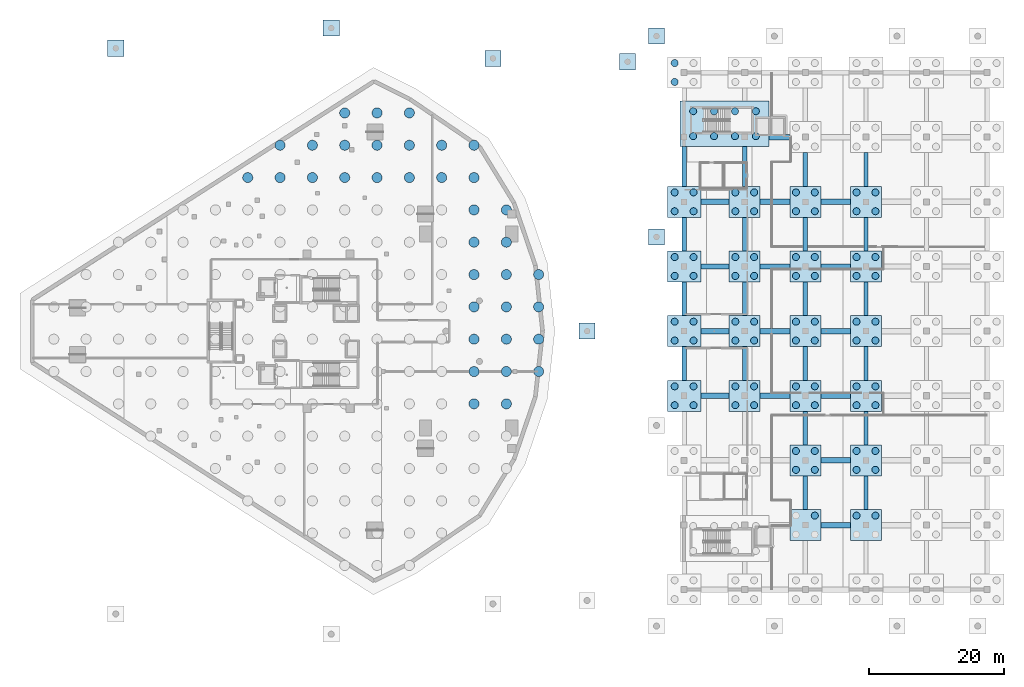
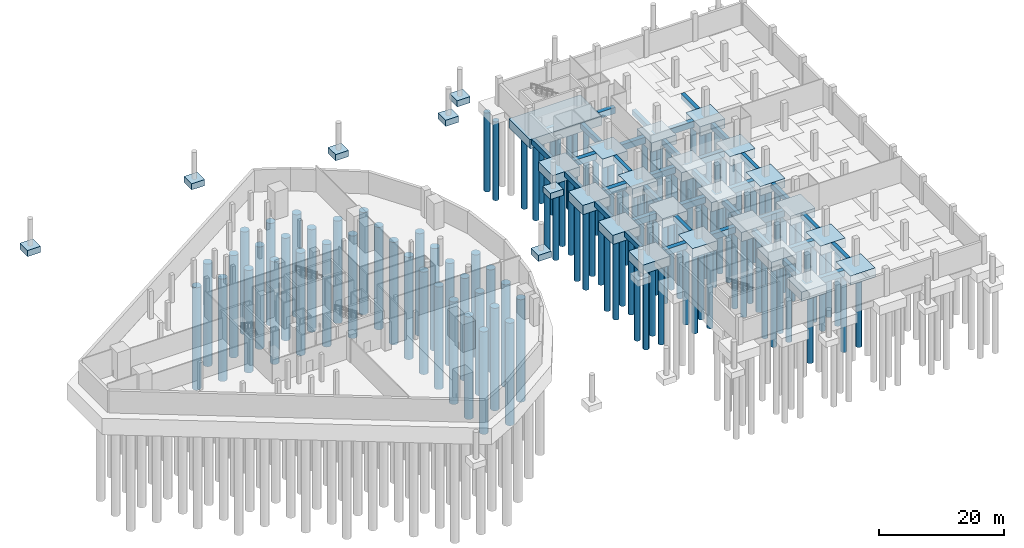
# One storey, part 2 of 22: 121 piles, 63 footings.
"""IFC4 building model written with IfcOpenShell, lengths in metres."""

from ifc_helpers import new_model, si_unit, direction, frame, origin, origin_2d, place, context, subcontext, project, spatial, rectangle, circle, extrude, material, layer, layer_set, material_profile, profile_set, type_object, element, save


model = new_model("IFC4")

# Units and contexts
model_context = context("Model", 3, precision=1e-05, world=origin(), true_north=direction((0.0, 1.0)))
body_context = subcontext(model_context, "Body", "Model", "MODEL_VIEW")
ifc_project = project(units=[si_unit("LENGTHUNIT", "METRE"), si_unit("AREAUNIT", "SQUARE_METRE"), si_unit("VOLUMEUNIT", "CUBIC_METRE"), si_unit("PLANEANGLEUNIT", "RADIAN"), si_unit("MASSUNIT", "GRAM", prefix="KILO")], contexts=[model_context])

# Site, building, storey
site_placement = place(None, origin())
site = spatial("IfcSite", under=ifc_project, at=site_placement, CompositionType="ELEMENT")
building_placement = place(site_placement, origin())
building = spatial("IfcBuilding", under=site, at=building_placement, Name="Qorvath Tower", CompositionType="ELEMENT")
storey_placement = place(building_placement, frame((0.0, 0.0, -5.39990234375)))
storey = spatial("IfcBuildingStorey", under=building, at=storey_placement, Name="B01", CompositionType="ELEMENT", Elevation=-5.39990234375)

# Footings
ifc_material_1 = material(Name="Concrete C45/55", Category="concrete")
ifc_material_profile_1 = material_profile(ifc_material_1, rectangle(XDim=0.800048828125, YDim=1.199951171875, at=origin_2d()), Name="GB 800x1200")
ifc_profile_set_1 = profile_set([ifc_material_profile_1], Name="Concrete C45/55")
footing_type_1 = type_object("IfcFootingType", Name="FT-GB1", PredefinedType="FOOTING_BEAM", material=ifc_profile_set_1)
for number, where, z_axis, x_axis, name in (
    (1, (52.699951171875, -28.800048828125, -0.60009765625), (1.0, 0.0, 0.0), (0.0, 1.0, 0.0), "Library Tie Beam GB-007"),
    (2, (52.699951171875, -19.199951171875, -0.60009765625), (1.0, 0.0, 0.0), (0.0, 1.0, 0.0), "Library Tie Beam GB-012"),
):
    element("IfcFooting", number, at=place(storey_placement, frame(where, z_axis=z_axis, x_axis=x_axis)), inside=storey, type_object=footing_type_1, Name=name, PredefinedType="FOOTING_BEAM", context=body_context, shape_type="SweptSolid", body=[
        extrude(rectangle(XDim=0.800048828125, YDim=1.199951171875, at=origin_2d()), origin(), (0.0, 0.0, 1.0), 4.400146484375),
    ])
footing_1_placement = place(storey_placement, frame((34.89990234375, -9.60009765625, -0.60009765625), z_axis=(1.0, 0.0, 0.0), x_axis=(0.0, 1.0, 0.0)))
element("IfcFooting", 3, at=footing_1_placement, inside=storey, type_object=footing_type_1, Name="Library Tie Beam GB-015", PredefinedType="FOOTING_BEAM", context=body_context, shape_type="SweptSolid", body=[
    extrude(rectangle(XDim=0.800048828125, YDim=1.199951171875, at=origin_2d()), origin(), (0.0, 0.0, 1.0), 4.2001953125),
])
for number, where, z_axis, x_axis, name in (
    (4, (43.699951171875, -9.60009765625, -0.60009765625), (1.0, 0.0, 0.0), (0.0, 1.0, 0.0), "Library Tie Beam GB-016"),
    (5, (52.699951171875, -9.60009765625, -0.60009765625), (1.0, 0.0, 0.0), (0.0, 1.0, 0.0), "Library Tie Beam GB-017"),
):
    element("IfcFooting", number, at=place(storey_placement, frame(where, z_axis=z_axis, x_axis=x_axis)), inside=storey, type_object=footing_type_1, Name=name, PredefinedType="FOOTING_BEAM", context=body_context, shape_type="SweptSolid", body=[
        extrude(rectangle(XDim=0.800048828125, YDim=1.199951171875, at=origin_2d()), origin(), (0.0, 0.0, 1.0), 4.400146484375),
    ])
footing_2_placement = place(storey_placement, frame((34.89990234375, 0.0, -0.60009765625), z_axis=(1.0, 0.0, 0.0), x_axis=(0.0, 1.0, 0.0)))
element("IfcFooting", 6, at=footing_2_placement, inside=storey, type_object=footing_type_1, Name="Library Tie Beam GB-020", PredefinedType="FOOTING_BEAM", context=body_context, shape_type="SweptSolid", body=[
    extrude(rectangle(XDim=0.800048828125, YDim=1.199951171875, at=origin_2d()), origin(), (0.0, 0.0, 1.0), 4.2001953125),
])
for number, where, z_axis, x_axis, name in (
    (7, (43.699951171875, 0.0, -0.60009765625), (1.0, 0.0, 0.0), (0.0, 1.0, 0.0), "Library Tie Beam GB-021"),
    (8, (52.699951171875, 0.0, -0.60009765625), (1.0, 0.0, 0.0), (0.0, 1.0, 0.0), "Library Tie Beam GB-022"),
):
    element("IfcFooting", number, at=place(storey_placement, frame(where, z_axis=z_axis, x_axis=x_axis)), inside=storey, type_object=footing_type_1, Name=name, PredefinedType="FOOTING_BEAM", context=body_context, shape_type="SweptSolid", body=[
        extrude(rectangle(XDim=0.800048828125, YDim=1.199951171875, at=origin_2d()), origin(), (0.0, 0.0, 1.0), 4.400146484375),
    ])
footing_3_placement = place(storey_placement, frame((34.89990234375, 9.60009765625, -0.60009765625), z_axis=(1.0, 0.0, 0.0), x_axis=(0.0, 1.0, 0.0)))
element("IfcFooting", 9, at=footing_3_placement, inside=storey, type_object=footing_type_1, Name="Library Tie Beam GB-025", PredefinedType="FOOTING_BEAM", context=body_context, shape_type="SweptSolid", body=[
    extrude(rectangle(XDim=0.800048828125, YDim=1.199951171875, at=origin_2d()), origin(), (0.0, 0.0, 1.0), 4.2001953125),
])
for number, where, z_axis, x_axis, name in (
    (10, (43.699951171875, 9.60009765625, -0.60009765625), (1.0, 0.0, 0.0), (0.0, 1.0, 0.0), "Library Tie Beam GB-026"),
    (11, (52.699951171875, 9.60009765625, -0.60009765625), (1.0, 0.0, 0.0), (0.0, 1.0, 0.0), "Library Tie Beam GB-027"),
):
    element("IfcFooting", number, at=place(storey_placement, frame(where, z_axis=z_axis, x_axis=x_axis)), inside=storey, type_object=footing_type_1, Name=name, PredefinedType="FOOTING_BEAM", context=body_context, shape_type="SweptSolid", body=[
        extrude(rectangle(XDim=0.800048828125, YDim=1.199951171875, at=origin_2d()), origin(), (0.0, 0.0, 1.0), 4.400146484375),
    ])
footing_4_placement = place(storey_placement, frame((34.89990234375, 19.199951171875, -0.60009765625), z_axis=(1.0, 0.0, 0.0), x_axis=(0.0, 1.0, 0.0)))
element("IfcFooting", 12, at=footing_4_placement, inside=storey, type_object=footing_type_1, Name="Library Tie Beam GB-030", PredefinedType="FOOTING_BEAM", context=body_context, shape_type="SweptSolid", body=[
    extrude(rectangle(XDim=0.800048828125, YDim=1.199951171875, at=origin_2d()), origin(), (0.0, 0.0, 1.0), 4.2001953125),
])
for number, where, z_axis, x_axis, name in (
    (13, (43.699951171875, 19.199951171875, -0.60009765625), (1.0, 0.0, 0.0), (0.0, 1.0, 0.0), "Library Tie Beam GB-031"),
    (14, (52.699951171875, 19.199951171875, -0.60009765625), (1.0, 0.0, 0.0), (0.0, 1.0, 0.0), "Library Tie Beam GB-032"),
):
    element("IfcFooting", number, at=place(storey_placement, frame(where, z_axis=z_axis, x_axis=x_axis)), inside=storey, type_object=footing_type_1, Name=name, PredefinedType="FOOTING_BEAM", context=body_context, shape_type="SweptSolid", body=[
        extrude(rectangle(XDim=0.800048828125, YDim=1.199951171875, at=origin_2d()), origin(), (0.0, 0.0, 1.0), 4.400146484375),
    ])
footing_5_placement = place(storey_placement, frame((45.0, 28.800048828125, -0.60009765625), z_axis=(1.0, 0.0, 0.0), x_axis=(0.0, 1.0, 0.0)))
element("IfcFooting", 15, at=footing_5_placement, inside=storey, type_object=footing_type_1, Name="Library Tie Beam GB-035", PredefinedType="FOOTING_BEAM", context=body_context, shape_type="SweptSolid", body=[
    extrude(rectangle(XDim=0.800048828125, YDim=1.199951171875, at=origin_2d()), origin(), (0.0, 0.0, 1.0), 3.10009765625),
])
ifc_material_2 = material(Name="Concrete C45/55", Category="concrete")
ifc_material_profile_2 = material_profile(ifc_material_2, rectangle(XDim=0.64990234375, YDim=1.0, at=origin_2d()), Name="GB 650x1000")
ifc_profile_set_2 = profile_set([ifc_material_profile_2], Name="Concrete C45/55")
footing_type_2 = type_object("IfcFootingType", Name="FT-GB2", PredefinedType="FOOTING_BEAM", material=ifc_profile_set_2)
for number, where, z_axis, x_axis, name in (
    (16, (32.39990234375, -7.300048828125, -0.5), (0.0, 1.0, 0.0), (-1.0, 0.0, 0.0), "Library Tie Beam GB-047"),
    (17, (32.39990234375, 2.300048828125, -0.5), (0.0, 1.0, 0.0), (-1.0, 0.0, 0.0), "Library Tie Beam GB-048"),
    (18, (32.39990234375, 11.89990234375, -0.5), (0.0, 1.0, 0.0), (-1.0, 0.0, 0.0), "Library Tie Beam GB-049"),
):
    element("IfcFooting", number, at=place(storey_placement, frame(where, z_axis=z_axis, x_axis=x_axis)), inside=storey, type_object=footing_type_2, Name=name, PredefinedType="FOOTING_BEAM", context=body_context, shape_type="SweptSolid", body=[
        extrude(rectangle(XDim=0.64990234375, YDim=1.0, at=origin_2d()), origin(), (0.0, 0.0, 1.0), 5.0),
    ])
footing_6_placement = place(storey_placement, frame((32.39990234375, 21.5, -0.5), z_axis=(0.0, 1.0, 0.0), x_axis=(-1.0, 0.0, 0.0)))
element("IfcFooting", 19, at=footing_6_placement, inside=storey, type_object=footing_type_2, Name="Library Tie Beam GB-050", PredefinedType="FOOTING_BEAM", context=body_context, shape_type="SweptSolid", body=[
    extrude(rectangle(XDim=0.64990234375, YDim=1.0, at=origin_2d()), origin(), (0.0, 0.0, 1.0), 5.89990234375),
])
for number, where, z_axis, x_axis, name in (
    (20, (41.39990234375, -7.300048828125, -0.5), (0.0, 1.0, 0.0), (-1.0, 0.0, 0.0), "Library Tie Beam GB-055"),
    (21, (41.39990234375, 2.300048828125, -0.5), (0.0, 1.0, 0.0), (-1.0, 0.0, 0.0), "Library Tie Beam GB-056"),
    (22, (41.39990234375, 11.89990234375, -0.5), (0.0, 1.0, 0.0), (-1.0, 0.0, 0.0), "Library Tie Beam GB-057"),
):
    element("IfcFooting", number, at=place(storey_placement, frame(where, z_axis=z_axis, x_axis=x_axis)), inside=storey, type_object=footing_type_2, Name=name, PredefinedType="FOOTING_BEAM", context=body_context, shape_type="SweptSolid", body=[
        extrude(rectangle(XDim=0.64990234375, YDim=1.0, at=origin_2d()), origin(), (0.0, 0.0, 1.0), 5.0),
    ])
footing_7_placement = place(storey_placement, frame((41.39990234375, 21.5, -0.5), z_axis=(0.0, 1.0, 0.0), x_axis=(-1.0, 0.0, 0.0)))
element("IfcFooting", 23, at=footing_7_placement, inside=storey, type_object=footing_type_2, Name="Library Tie Beam GB-058", PredefinedType="FOOTING_BEAM", context=body_context, shape_type="SweptSolid", body=[
    extrude(rectangle(XDim=0.64990234375, YDim=1.0, at=origin_2d()), origin(), (0.0, 0.0, 1.0), 5.89990234375),
])
for number, where, z_axis, x_axis, name in (
    (24, (50.39990234375, -26.5, -0.5), (0.0, 1.0, 0.0), (-1.0, 0.0, 0.0), "Library Tie Beam GB-061"),
    (25, (50.39990234375, -16.89990234375, -0.5), (0.0, 1.0, 0.0), (-1.0, 0.0, 0.0), "Library Tie Beam GB-062"),
    (26, (50.39990234375, -7.300048828125, -0.5), (0.0, 1.0, 0.0), (-1.0, 0.0, 0.0), "Library Tie Beam GB-063"),
    (27, (50.39990234375, 2.300048828125, -0.5), (0.0, 1.0, 0.0), (-1.0, 0.0, 0.0), "Library Tie Beam GB-064"),
    (28, (50.39990234375, 11.89990234375, -0.5), (0.0, 1.0, 0.0), (-1.0, 0.0, 0.0), "Library Tie Beam GB-065"),
    (29, (50.39990234375, 21.5, -0.5), (0.0, 1.0, 0.0), (-1.0, 0.0, 0.0), "Library Tie Beam GB-066"),
    (30, (59.39990234375, -26.5, -0.5), (0.0, 1.0, 0.0), (-1.0, 0.0, 0.0), "Library Tie Beam GB-069"),
    (31, (59.39990234375, -16.89990234375, -0.5), (0.0, 1.0, 0.0), (-1.0, 0.0, 0.0), "Library Tie Beam GB-070"),
    (32, (59.39990234375, -7.300048828125, -0.5), (0.0, 1.0, 0.0), (-1.0, 0.0, 0.0), "Library Tie Beam GB-071"),
    (33, (59.39990234375, 2.300048828125, -0.5), (0.0, 1.0, 0.0), (-1.0, 0.0, 0.0), "Library Tie Beam GB-072"),
    (34, (59.39990234375, 11.89990234375, -0.5), (0.0, 1.0, 0.0), (-1.0, 0.0, 0.0), "Library Tie Beam GB-073"),
    (35, (59.39990234375, 21.5, -0.5), (0.0, 1.0, 0.0), (-1.0, 0.0, 0.0), "Library Tie Beam GB-074"),
):
    element("IfcFooting", number, at=place(storey_placement, frame(where, z_axis=z_axis, x_axis=x_axis)), inside=storey, type_object=footing_type_2, Name=name, PredefinedType="FOOTING_BEAM", context=body_context, shape_type="SweptSolid", body=[
        extrude(rectangle(XDim=0.64990234375, YDim=1.0, at=origin_2d()), origin(), (0.0, 0.0, 1.0), 5.0),
    ])
ifc_material_3 = material(Name="Concrete C45/55", Category="concrete")
ifc_layer_1 = layer(ifc_material_3, 1.800048828125)
ifc_layer_set_1 = layer_set([ifc_layer_1], Name="FT-LC-MAT")
footing_type_3 = type_object("IfcFootingType", Name="FT-LC-MAT", PredefinedType="PILE_CAP", material=ifc_layer_set_1)
footing_8_placement = place(storey_placement, frame((38.39990234375, 30.800048828125, -1.80029296875), z_axis=(0.0, 0.0, 1.0), x_axis=(1.0, 0.0, 0.0)))
element("IfcFooting", 36, at=footing_8_placement, inside=storey, type_object=footing_type_3, Name="Library Core Pile Cap Mat FT-LC-MAT-N", PredefinedType="PILE_CAP", context=body_context, shape_type="SweptSolid", body=[
    extrude(rectangle(XDim=13.199951171875, YDim=6.800048828125, at=origin_2d()), origin(), (0.0, 0.0, 1.0), 1.800048828125),
])
ifc_material_4 = material(Name="Concrete C45/55", Category="concrete")
ifc_layer_2 = layer(ifc_material_4, 1.800048828125)
ifc_layer_set_2 = layer_set([ifc_layer_2], Name="FT-PC-L1")
footing_type_4 = type_object("IfcFootingType", Name="FT-PC-L1", PredefinedType="PILE_CAP", material=ifc_layer_set_2)
for number, where, z_axis, x_axis, name in (
    (37, (41.39990234375, -9.60009765625, -1.80029296875), (0.0, 0.0, 1.0), (1.0, 0.0, 0.0), "Library Pile Cap PC-10"),
    (38, (41.39990234375, 0.0, -1.80029296875), (0.0, 0.0, 1.0), (1.0, 0.0, 0.0), "Library Pile Cap PC-11"),
    (39, (41.39990234375, 9.60009765625, -1.80029296875), (0.0, 0.0, 1.0), (1.0, 0.0, 0.0), "Library Pile Cap PC-12"),
    (40, (41.39990234375, 19.199951171875, -1.80029296875), (0.0, 0.0, 1.0), (1.0, 0.0, 0.0), "Library Pile Cap PC-13"),
    (41, (50.39990234375, -28.800048828125, -1.80029296875), (0.0, 0.0, 1.0), (1.0, 0.0, 0.0), "Library Pile Cap PC-16"),
    (42, (50.39990234375, -19.199951171875, -1.80029296875), (0.0, 0.0, 1.0), (1.0, 0.0, 0.0), "Library Pile Cap PC-17"),
    (43, (50.39990234375, -9.60009765625, -1.80029296875), (0.0, 0.0, 1.0), (1.0, 0.0, 0.0), "Library Pile Cap PC-18"),
    (44, (50.39990234375, 0.0, -1.80029296875), (0.0, 0.0, 1.0), (1.0, 0.0, 0.0), "Library Pile Cap PC-19"),
    (45, (50.39990234375, 9.60009765625, -1.80029296875), (0.0, 0.0, 1.0), (1.0, 0.0, 0.0), "Library Pile Cap PC-20"),
    (46, (50.39990234375, 19.199951171875, -1.80029296875), (0.0, 0.0, 1.0), (1.0, 0.0, 0.0), "Library Pile Cap PC-21"),
    (47, (59.39990234375, -28.800048828125, -1.80029296875), (0.0, 0.0, 1.0), (1.0, 0.0, 0.0), "Library Pile Cap PC-25"),
    (48, (59.39990234375, -19.199951171875, -1.80029296875), (0.0, 0.0, 1.0), (1.0, 0.0, 0.0), "Library Pile Cap PC-26"),
    (49, (59.39990234375, -9.60009765625, -1.80029296875), (0.0, 0.0, 1.0), (1.0, 0.0, 0.0), "Library Pile Cap PC-27"),
    (50, (59.39990234375, 0.0, -1.80029296875), (0.0, 0.0, 1.0), (1.0, 0.0, 0.0), "Library Pile Cap PC-28"),
    (51, (59.39990234375, 9.60009765625, -1.80029296875), (0.0, 0.0, 1.0), (1.0, 0.0, 0.0), "Library Pile Cap PC-29"),
    (52, (59.39990234375, 19.199951171875, -1.80029296875), (0.0, 0.0, 1.0), (1.0, 0.0, 0.0), "Library Pile Cap PC-30"),
):
    element("IfcFooting", number, at=place(storey_placement, frame(where, z_axis=z_axis, x_axis=x_axis)), inside=storey, type_object=footing_type_4, Name=name, PredefinedType="PILE_CAP", context=body_context, shape_type="SweptSolid", body=[
        extrude(rectangle(XDim=4.60009765625, YDim=4.60009765625, at=origin_2d()), origin(), (0.0, 0.0, 1.0), 1.800048828125),
    ])
ifc_material_5 = material(Name="Concrete C45/55", Category="concrete")
ifc_layer_3 = layer(ifc_material_5, 1.800048828125)
ifc_layer_set_3 = layer_set([ifc_layer_3], Name="FT-PC-L2")
footing_type_5 = type_object("IfcFootingType", Name="FT-PC-L2", PredefinedType="PILE_CAP", material=ifc_layer_set_3)
for number, where, z_axis, x_axis, name in (
    (53, (32.39990234375, -9.60009765625, -1.80029296875), (0.0, 0.0, 1.0), (1.0, 0.0, 0.0), "Library Pile Cap PC-03"),
    (54, (32.39990234375, 0.0, -1.80029296875), (0.0, 0.0, 1.0), (1.0, 0.0, 0.0), "Library Pile Cap PC-04"),
    (55, (32.39990234375, 9.60009765625, -1.80029296875), (0.0, 0.0, 1.0), (1.0, 0.0, 0.0), "Library Pile Cap PC-05"),
    (56, (32.39990234375, 19.199951171875, -1.80029296875), (0.0, 0.0, 1.0), (1.0, 0.0, 0.0), "Library Pile Cap PC-06"),
):
    element("IfcFooting", number, at=place(storey_placement, frame(where, z_axis=z_axis, x_axis=x_axis)), inside=storey, type_object=footing_type_5, Name=name, PredefinedType="PILE_CAP", context=body_context, shape_type="SweptSolid", body=[
        extrude(rectangle(XDim=5.0, YDim=4.60009765625, at=origin_2d()), origin(), (0.0, 0.0, 1.0), 1.800048828125),
    ])
ifc_material_6 = material(Name="Concrete C45/55", Category="concrete")
ifc_layer_4 = layer(ifc_material_6, 1.199951171875)
ifc_layer_set_4 = layer_set([ifc_layer_4], Name="FT-PF1")
footing_type_6 = type_object("IfcFootingType", Name="FT-PF1", PredefinedType="PAD_FOOTING", material=ifc_layer_set_4)
for number, where, z_axis, x_axis, name in (
    (57, (18.0, 0.0, -1.2001953125), (0.0, 0.0, 1.0), (1.0, 0.0, 0.0), "Plaza Deck Pad Footing PF-02"),
    (58, (24.0, 40.0, -1.2001953125), (0.0, 0.0, 1.0), (1.0, 0.0, 0.0), "Plaza Deck Pad Footing PF-03"),
    (59, (-52.0, 42.0, -1.2001953125), (0.0, 0.0, 1.0), (1.0, 0.0, 0.0), "Plaza Deck Pad Footing PF-07"),
    (60, (-20.0, 45.0, -1.2001953125), (0.0, 0.0, 1.0), (1.0, 0.0, 0.0), "Plaza Deck Pad Footing PF-08"),
    (61, (4.0, 40.5, -1.2001953125), (0.0, 0.0, 1.0), (1.0, 0.0, 0.0), "Plaza Deck Pad Footing PF-09"),
    (62, (28.300048828125, 14.0, -1.2001953125), (0.0, 0.0, 1.0), (1.0, 0.0, 0.0), "Plaza Deck Pad Footing PF-15"),
    (63, (28.300048828125, 43.800048828125, -1.2001953125), (0.0, 0.0, 1.0), (1.0, 0.0, 0.0), "Plaza Deck Pad Footing PF-16"),
):
    element("IfcFooting", number, at=place(storey_placement, frame(where, z_axis=z_axis, x_axis=x_axis)), inside=storey, type_object=footing_type_6, Name=name, PredefinedType="PAD_FOOTING", context=body_context, shape_type="SweptSolid", body=[
        extrude(rectangle(XDim=2.39990234375, YDim=2.39990234375, at=origin_2d()), origin(), (0.0, 0.0, 1.0), 1.199951171875),
    ])

# Piles
ifc_material_7 = material(Name="Concrete C50/60", Category="concrete")
ifc_material_profile_3 = material_profile(ifc_material_7, circle(Radius=0.75, at=origin_2d()), Name="BORED PILE 1500")
ifc_profile_set_3 = profile_set([ifc_material_profile_3], Name="Concrete C50/60")
pile_type_1 = type_object("IfcPileType", Name="PILE-P1", PredefinedType="BORED", material=ifc_profile_set_3)
for number, where, z_axis, x_axis, name in (
    (64, (-32.39990234375, 22.800048828125, -3.10009765625), (0.0, 0.0, -1.0), (1.0, 0.0, 0.0), "Tower Bored Pile P1-048"),
    (65, (-27.60009765625, 22.800048828125, -3.10009765625), (0.0, 0.0, -1.0), (1.0, 0.0, 0.0), "Tower Bored Pile P1-059"),
    (66, (-27.60009765625, 27.60009765625, -3.10009765625), (0.0, 0.0, -1.0), (1.0, 0.0, 0.0), "Tower Bored Pile P1-060"),
    (67, (-22.800048828125, 22.800048828125, -3.10009765625), (0.0, 0.0, -1.0), (1.0, 0.0, 0.0), "Tower Bored Pile P1-072"),
    (68, (-22.800048828125, 27.60009765625, -3.10009765625), (0.0, 0.0, -1.0), (1.0, 0.0, 0.0), "Tower Bored Pile P1-073"),
    (69, (-18.0, 22.800048828125, -3.10009765625), (0.0, 0.0, -1.0), (1.0, 0.0, 0.0), "Tower Bored Pile P1-086"),
    (70, (-18.0, 27.60009765625, -3.10009765625), (0.0, 0.0, -1.0), (1.0, 0.0, 0.0), "Tower Bored Pile P1-087"),
    (71, (-18.0, 32.39990234375, -3.10009765625), (0.0, 0.0, -1.0), (1.0, 0.0, 0.0), "Tower Bored Pile P1-088"),
    (72, (-13.199951171875, 22.800048828125, -3.10009765625), (0.0, 0.0, -1.0), (1.0, 0.0, 0.0), "Tower Bored Pile P1-101"),
    (73, (-13.199951171875, 27.60009765625, -3.10009765625), (0.0, 0.0, -1.0), (1.0, 0.0, 0.0), "Tower Bored Pile P1-102"),
    (74, (-13.199951171875, 32.39990234375, -3.10009765625), (0.0, 0.0, -1.0), (1.0, 0.0, 0.0), "Tower Bored Pile P1-103"),
    (75, (-8.39990234375, 22.800048828125, -3.10009765625), (0.0, 0.0, -1.0), (1.0, 0.0, 0.0), "Tower Bored Pile P1-116"),
    (76, (-8.39990234375, 27.60009765625, -3.10009765625), (0.0, 0.0, -1.0), (1.0, 0.0, 0.0), "Tower Bored Pile P1-117"),
    (77, (-8.39990234375, 32.39990234375, -3.10009765625), (0.0, 0.0, -1.0), (1.0, 0.0, 0.0), "Tower Bored Pile P1-118"),
    (78, (-3.60009765625, 22.800048828125, -3.10009765625), (0.0, 0.0, -1.0), (1.0, 0.0, 0.0), "Tower Bored Pile P1-130"),
    (79, (-3.60009765625, 27.60009765625, -3.10009765625), (0.0, 0.0, -1.0), (1.0, 0.0, 0.0), "Tower Bored Pile P1-131"),
    (80, (1.199951171875, -10.800048828125, -3.10009765625), (0.0, 0.0, -1.0), (1.0, 0.0, 0.0), "Tower Bored Pile P1-135"),
    (81, (1.199951171875, -6.0, -3.10009765625), (0.0, 0.0, -1.0), (1.0, 0.0, 0.0), "Tower Bored Pile P1-136"),
    (82, (1.199951171875, -1.199951171875, -3.10009765625), (0.0, 0.0, -1.0), (1.0, 0.0, 0.0), "Tower Bored Pile P1-137"),
    (83, (1.199951171875, 3.60009765625, -3.10009765625), (0.0, 0.0, -1.0), (1.0, 0.0, 0.0), "Tower Bored Pile P1-138"),
    (84, (1.199951171875, 8.39990234375, -3.10009765625), (0.0, 0.0, -1.0), (1.0, 0.0, 0.0), "Tower Bored Pile P1-139"),
    (85, (1.199951171875, 13.199951171875, -3.10009765625), (0.0, 0.0, -1.0), (1.0, 0.0, 0.0), "Tower Bored Pile P1-140"),
    (86, (1.199951171875, 18.0, -3.10009765625), (0.0, 0.0, -1.0), (1.0, 0.0, 0.0), "Tower Bored Pile P1-141"),
    (87, (1.199951171875, 22.800048828125, -3.10009765625), (0.0, 0.0, -1.0), (1.0, 0.0, 0.0), "Tower Bored Pile P1-142"),
    (88, (1.199951171875, 27.60009765625, -3.10009765625), (0.0, 0.0, -1.0), (1.0, 0.0, 0.0), "Tower Bored Pile P1-143"),
    (89, (6.0, -10.800048828125, -3.10009765625), (0.0, 0.0, -1.0), (1.0, 0.0, 0.0), "Tower Bored Pile P1-146"),
    (90, (6.0, -6.0, -3.10009765625), (0.0, 0.0, -1.0), (1.0, 0.0, 0.0), "Tower Bored Pile P1-147"),
    (91, (6.0, -1.199951171875, -3.10009765625), (0.0, 0.0, -1.0), (1.0, 0.0, 0.0), "Tower Bored Pile P1-148"),
    (92, (6.0, 3.60009765625, -3.10009765625), (0.0, 0.0, -1.0), (1.0, 0.0, 0.0), "Tower Bored Pile P1-149"),
    (93, (6.0, 8.39990234375, -3.10009765625), (0.0, 0.0, -1.0), (1.0, 0.0, 0.0), "Tower Bored Pile P1-150"),
    (94, (6.0, 13.199951171875, -3.10009765625), (0.0, 0.0, -1.0), (1.0, 0.0, 0.0), "Tower Bored Pile P1-151"),
    (95, (6.0, 18.0, -3.10009765625), (0.0, 0.0, -1.0), (1.0, 0.0, 0.0), "Tower Bored Pile P1-152"),
    (96, (10.800048828125, -6.0, -3.10009765625), (0.0, 0.0, -1.0), (1.0, 0.0, 0.0), "Tower Bored Pile P1-153"),
    (97, (10.800048828125, -1.199951171875, -3.10009765625), (0.0, 0.0, -1.0), (1.0, 0.0, 0.0), "Tower Bored Pile P1-154"),
    (98, (10.800048828125, 3.60009765625, -3.10009765625), (0.0, 0.0, -1.0), (1.0, 0.0, 0.0), "Tower Bored Pile P1-155"),
    (99, (10.800048828125, 8.39990234375, -3.10009765625), (0.0, 0.0, -1.0), (1.0, 0.0, 0.0), "Tower Bored Pile P1-156"),
):
    element("IfcPile", number, at=place(storey_placement, frame(where, z_axis=z_axis, x_axis=x_axis)), inside=storey, type_object=pile_type_1, Name=name, PredefinedType="BORED", context=body_context, shape_type="SweptSolid", body=[
        extrude(circle(Radius=0.75, at=origin_2d()), origin(), (0.0, 0.0, 1.0), 20.0),
    ])
ifc_material_8 = material(Name="Concrete C45/55", Category="concrete")
ifc_material_profile_4 = material_profile(ifc_material_8, circle(Radius=0.52490234375, at=origin_2d()), Name="BORED PILE 1050")
ifc_profile_set_4 = profile_set([ifc_material_profile_4], Name="Concrete C45/55")
pile_type_2 = type_object("IfcPileType", Name="PILE-P2", PredefinedType="BORED", material=ifc_profile_set_4)
for number, where, z_axis, x_axis, name in (
    (100, (33.75, 28.949951171875, -1.7001953125), (0.0, 0.0, -1.0), (1.0, 0.0, 0.0), "Library Core Bored Pile P2-001"),
    (101, (33.75, 32.64990234375, -1.7001953125), (0.0, 0.0, -1.0), (1.0, 0.0, 0.0), "Library Core Bored Pile P2-002"),
    (102, (36.85009765625, 28.949951171875, -1.7001953125), (0.0, 0.0, -1.0), (1.0, 0.0, 0.0), "Library Core Bored Pile P2-003"),
    (103, (36.85009765625, 32.64990234375, -1.7001953125), (0.0, 0.0, -1.0), (1.0, 0.0, 0.0), "Library Core Bored Pile P2-004"),
    (104, (39.949951171875, 28.949951171875, -1.7001953125), (0.0, 0.0, -1.0), (1.0, 0.0, 0.0), "Library Core Bored Pile P2-005"),
    (105, (39.949951171875, 32.64990234375, -1.7001953125), (0.0, 0.0, -1.0), (1.0, 0.0, 0.0), "Library Core Bored Pile P2-006"),
    (106, (43.050048828125, 28.949951171875, -1.7001953125), (0.0, 0.0, -1.0), (1.0, 0.0, 0.0), "Library Core Bored Pile P2-007"),
    (107, (43.050048828125, 32.64990234375, -1.7001953125), (0.0, 0.0, -1.0), (1.0, 0.0, 0.0), "Library Core Bored Pile P2-008"),
    (108, (31.0, -11.0, -1.7001953125), (0.0, 0.0, -1.0), (1.0, 0.0, 0.0), "Library Bored Pile P2-025"),
    (109, (31.0, -8.199951171875, -1.7001953125), (0.0, 0.0, -1.0), (1.0, 0.0, 0.0), "Library Bored Pile P2-026"),
    (110, (33.800048828125, -11.0, -1.7001953125), (0.0, 0.0, -1.0), (1.0, 0.0, 0.0), "Library Bored Pile P2-027"),
    (111, (33.800048828125, -8.199951171875, -1.7001953125), (0.0, 0.0, -1.0), (1.0, 0.0, 0.0), "Library Bored Pile P2-028"),
    (112, (31.0, -1.39990234375, -1.7001953125), (0.0, 0.0, -1.0), (1.0, 0.0, 0.0), "Library Bored Pile P2-029"),
    (113, (31.0, 1.39990234375, -1.7001953125), (0.0, 0.0, -1.0), (1.0, 0.0, 0.0), "Library Bored Pile P2-030"),
    (114, (33.800048828125, -1.39990234375, -1.7001953125), (0.0, 0.0, -1.0), (1.0, 0.0, 0.0), "Library Bored Pile P2-031"),
    (115, (33.800048828125, 1.39990234375, -1.7001953125), (0.0, 0.0, -1.0), (1.0, 0.0, 0.0), "Library Bored Pile P2-032"),
    (116, (31.0, 8.199951171875, -1.7001953125), (0.0, 0.0, -1.0), (1.0, 0.0, 0.0), "Library Bored Pile P2-033"),
    (117, (31.0, 11.0, -1.7001953125), (0.0, 0.0, -1.0), (1.0, 0.0, 0.0), "Library Bored Pile P2-034"),
    (118, (33.800048828125, 8.199951171875, -1.7001953125), (0.0, 0.0, -1.0), (1.0, 0.0, 0.0), "Library Bored Pile P2-035"),
    (119, (33.800048828125, 11.0, -1.7001953125), (0.0, 0.0, -1.0), (1.0, 0.0, 0.0), "Library Bored Pile P2-036"),
    (120, (31.0, 17.800048828125, -1.7001953125), (0.0, 0.0, -1.0), (1.0, 0.0, 0.0), "Library Bored Pile P2-037"),
    (121, (31.0, 20.60009765625, -1.7001953125), (0.0, 0.0, -1.0), (1.0, 0.0, 0.0), "Library Bored Pile P2-038"),
    (122, (33.800048828125, 17.800048828125, -1.7001953125), (0.0, 0.0, -1.0), (1.0, 0.0, 0.0), "Library Bored Pile P2-039"),
    (123, (33.800048828125, 20.60009765625, -1.7001953125), (0.0, 0.0, -1.0), (1.0, 0.0, 0.0), "Library Bored Pile P2-040"),
    (124, (31.0, 37.0, -1.7001953125), (0.0, 0.0, -1.0), (1.0, 0.0, 0.0), "Library Bored Pile P2-041"),
    (125, (31.0, 39.800048828125, -1.7001953125), (0.0, 0.0, -1.0), (1.0, 0.0, 0.0), "Library Bored Pile P2-042"),
    (126, (40.0, -11.0, -1.7001953125), (0.0, 0.0, -1.0), (1.0, 0.0, 0.0), "Library Bored Pile P2-053"),
    (127, (40.0, -8.199951171875, -1.7001953125), (0.0, 0.0, -1.0), (1.0, 0.0, 0.0), "Library Bored Pile P2-054"),
    (128, (42.800048828125, -11.0, -1.7001953125), (0.0, 0.0, -1.0), (1.0, 0.0, 0.0), "Library Bored Pile P2-055"),
    (129, (42.800048828125, -8.199951171875, -1.7001953125), (0.0, 0.0, -1.0), (1.0, 0.0, 0.0), "Library Bored Pile P2-056"),
    (130, (40.0, -1.39990234375, -1.7001953125), (0.0, 0.0, -1.0), (1.0, 0.0, 0.0), "Library Bored Pile P2-057"),
    (131, (40.0, 1.39990234375, -1.7001953125), (0.0, 0.0, -1.0), (1.0, 0.0, 0.0), "Library Bored Pile P2-058"),
    (132, (42.800048828125, -1.39990234375, -1.7001953125), (0.0, 0.0, -1.0), (1.0, 0.0, 0.0), "Library Bored Pile P2-059"),
    (133, (42.800048828125, 1.39990234375, -1.7001953125), (0.0, 0.0, -1.0), (1.0, 0.0, 0.0), "Library Bored Pile P2-060"),
    (134, (40.0, 8.199951171875, -1.7001953125), (0.0, 0.0, -1.0), (1.0, 0.0, 0.0), "Library Bored Pile P2-061"),
    (135, (40.0, 11.0, -1.7001953125), (0.0, 0.0, -1.0), (1.0, 0.0, 0.0), "Library Bored Pile P2-062"),
    (136, (42.800048828125, 8.199951171875, -1.7001953125), (0.0, 0.0, -1.0), (1.0, 0.0, 0.0), "Library Bored Pile P2-063"),
    (137, (42.800048828125, 11.0, -1.7001953125), (0.0, 0.0, -1.0), (1.0, 0.0, 0.0), "Library Bored Pile P2-064"),
    (138, (40.0, 17.800048828125, -1.7001953125), (0.0, 0.0, -1.0), (1.0, 0.0, 0.0), "Library Bored Pile P2-065"),
    (139, (40.0, 20.60009765625, -1.7001953125), (0.0, 0.0, -1.0), (1.0, 0.0, 0.0), "Library Bored Pile P2-066"),
    (140, (42.800048828125, 17.800048828125, -1.7001953125), (0.0, 0.0, -1.0), (1.0, 0.0, 0.0), "Library Bored Pile P2-067"),
    (141, (42.800048828125, 20.60009765625, -1.7001953125), (0.0, 0.0, -1.0), (1.0, 0.0, 0.0), "Library Bored Pile P2-068"),
    (142, (51.800048828125, -27.39990234375, -1.7001953125), (0.0, 0.0, -1.0), (1.0, 0.0, 0.0), "Library Bored Pile P2-080"),
    (143, (49.0, -20.60009765625, -1.7001953125), (0.0, 0.0, -1.0), (1.0, 0.0, 0.0), "Library Bored Pile P2-081"),
    (144, (49.0, -17.800048828125, -1.7001953125), (0.0, 0.0, -1.0), (1.0, 0.0, 0.0), "Library Bored Pile P2-082"),
    (145, (51.800048828125, -20.60009765625, -1.7001953125), (0.0, 0.0, -1.0), (1.0, 0.0, 0.0), "Library Bored Pile P2-083"),
    (146, (51.800048828125, -17.800048828125, -1.7001953125), (0.0, 0.0, -1.0), (1.0, 0.0, 0.0), "Library Bored Pile P2-084"),
    (147, (49.0, -11.0, -1.7001953125), (0.0, 0.0, -1.0), (1.0, 0.0, 0.0), "Library Bored Pile P2-085"),
    (148, (49.0, -8.199951171875, -1.7001953125), (0.0, 0.0, -1.0), (1.0, 0.0, 0.0), "Library Bored Pile P2-086"),
    (149, (51.800048828125, -11.0, -1.7001953125), (0.0, 0.0, -1.0), (1.0, 0.0, 0.0), "Library Bored Pile P2-087"),
    (150, (51.800048828125, -8.199951171875, -1.7001953125), (0.0, 0.0, -1.0), (1.0, 0.0, 0.0), "Library Bored Pile P2-088"),
    (151, (49.0, -1.39990234375, -1.7001953125), (0.0, 0.0, -1.0), (1.0, 0.0, 0.0), "Library Bored Pile P2-089"),
    (152, (49.0, 1.39990234375, -1.7001953125), (0.0, 0.0, -1.0), (1.0, 0.0, 0.0), "Library Bored Pile P2-090"),
    (153, (51.800048828125, -1.39990234375, -1.7001953125), (0.0, 0.0, -1.0), (1.0, 0.0, 0.0), "Library Bored Pile P2-091"),
    (154, (51.800048828125, 1.39990234375, -1.7001953125), (0.0, 0.0, -1.0), (1.0, 0.0, 0.0), "Library Bored Pile P2-092"),
    (155, (49.0, 8.199951171875, -1.7001953125), (0.0, 0.0, -1.0), (1.0, 0.0, 0.0), "Library Bored Pile P2-093"),
    (156, (49.0, 11.0, -1.7001953125), (0.0, 0.0, -1.0), (1.0, 0.0, 0.0), "Library Bored Pile P2-094"),
    (157, (51.800048828125, 8.199951171875, -1.7001953125), (0.0, 0.0, -1.0), (1.0, 0.0, 0.0), "Library Bored Pile P2-095"),
    (158, (51.800048828125, 11.0, -1.7001953125), (0.0, 0.0, -1.0), (1.0, 0.0, 0.0), "Library Bored Pile P2-096"),
    (159, (49.0, 17.800048828125, -1.7001953125), (0.0, 0.0, -1.0), (1.0, 0.0, 0.0), "Library Bored Pile P2-097"),
    (160, (49.0, 20.60009765625, -1.7001953125), (0.0, 0.0, -1.0), (1.0, 0.0, 0.0), "Library Bored Pile P2-098"),
    (161, (51.800048828125, 17.800048828125, -1.7001953125), (0.0, 0.0, -1.0), (1.0, 0.0, 0.0), "Library Bored Pile P2-099"),
    (162, (51.800048828125, 20.60009765625, -1.7001953125), (0.0, 0.0, -1.0), (1.0, 0.0, 0.0), "Library Bored Pile P2-100"),
    (163, (58.0, -27.39990234375, -1.7001953125), (0.0, 0.0, -1.0), (1.0, 0.0, 0.0), "Library Bored Pile P2-114"),
    (164, (60.800048828125, -27.39990234375, -1.7001953125), (0.0, 0.0, -1.0), (1.0, 0.0, 0.0), "Library Bored Pile P2-116"),
    (165, (58.0, -20.60009765625, -1.7001953125), (0.0, 0.0, -1.0), (1.0, 0.0, 0.0), "Library Bored Pile P2-117"),
    (166, (58.0, -17.800048828125, -1.7001953125), (0.0, 0.0, -1.0), (1.0, 0.0, 0.0), "Library Bored Pile P2-118"),
    (167, (60.800048828125, -20.60009765625, -1.7001953125), (0.0, 0.0, -1.0), (1.0, 0.0, 0.0), "Library Bored Pile P2-119"),
    (168, (60.800048828125, -17.800048828125, -1.7001953125), (0.0, 0.0, -1.0), (1.0, 0.0, 0.0), "Library Bored Pile P2-120"),
    (169, (58.0, -11.0, -1.7001953125), (0.0, 0.0, -1.0), (1.0, 0.0, 0.0), "Library Bored Pile P2-121"),
    (170, (58.0, -8.199951171875, -1.7001953125), (0.0, 0.0, -1.0), (1.0, 0.0, 0.0), "Library Bored Pile P2-122"),
    (171, (60.800048828125, -11.0, -1.7001953125), (0.0, 0.0, -1.0), (1.0, 0.0, 0.0), "Library Bored Pile P2-123"),
    (172, (60.800048828125, -8.199951171875, -1.7001953125), (0.0, 0.0, -1.0), (1.0, 0.0, 0.0), "Library Bored Pile P2-124"),
    (173, (58.0, -1.39990234375, -1.7001953125), (0.0, 0.0, -1.0), (1.0, 0.0, 0.0), "Library Bored Pile P2-125"),
    (174, (58.0, 1.39990234375, -1.7001953125), (0.0, 0.0, -1.0), (1.0, 0.0, 0.0), "Library Bored Pile P2-126"),
    (175, (60.800048828125, -1.39990234375, -1.7001953125), (0.0, 0.0, -1.0), (1.0, 0.0, 0.0), "Library Bored Pile P2-127"),
    (176, (60.800048828125, 1.39990234375, -1.7001953125), (0.0, 0.0, -1.0), (1.0, 0.0, 0.0), "Library Bored Pile P2-128"),
    (177, (58.0, 8.199951171875, -1.7001953125), (0.0, 0.0, -1.0), (1.0, 0.0, 0.0), "Library Bored Pile P2-129"),
    (178, (58.0, 11.0, -1.7001953125), (0.0, 0.0, -1.0), (1.0, 0.0, 0.0), "Library Bored Pile P2-130"),
    (179, (60.800048828125, 8.199951171875, -1.7001953125), (0.0, 0.0, -1.0), (1.0, 0.0, 0.0), "Library Bored Pile P2-131"),
    (180, (60.800048828125, 11.0, -1.7001953125), (0.0, 0.0, -1.0), (1.0, 0.0, 0.0), "Library Bored Pile P2-132"),
    (181, (58.0, 17.800048828125, -1.7001953125), (0.0, 0.0, -1.0), (1.0, 0.0, 0.0), "Library Bored Pile P2-133"),
    (182, (58.0, 20.60009765625, -1.7001953125), (0.0, 0.0, -1.0), (1.0, 0.0, 0.0), "Library Bored Pile P2-134"),
    (183, (60.800048828125, 17.800048828125, -1.7001953125), (0.0, 0.0, -1.0), (1.0, 0.0, 0.0), "Library Bored Pile P2-135"),
    (184, (60.800048828125, 20.60009765625, -1.7001953125), (0.0, 0.0, -1.0), (1.0, 0.0, 0.0), "Library Bored Pile P2-136"),
):
    element("IfcPile", number, at=place(storey_placement, frame(where, z_axis=z_axis, x_axis=x_axis)), inside=storey, type_object=pile_type_2, Name=name, PredefinedType="BORED", context=body_context, shape_type="SweptSolid", body=[
        extrude(circle(Radius=0.52490234375, at=origin_2d()), origin(), (0.0, 0.0, 1.0), 15.39990234375),
    ])

save(model, "model.ifc")
